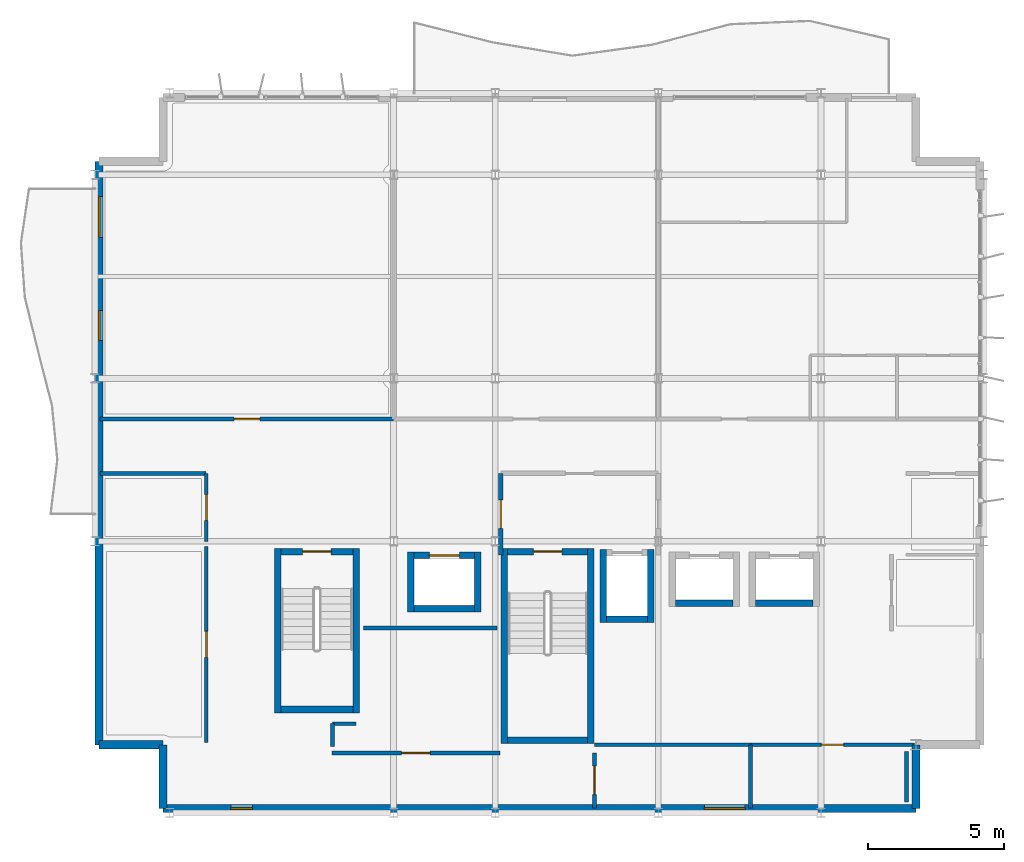
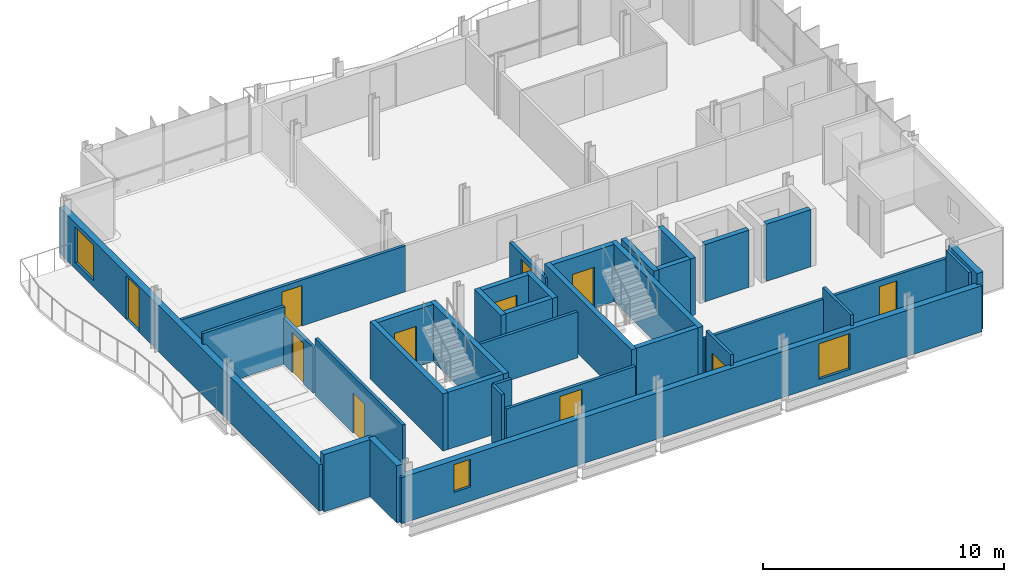
# One storey, part 8 of 12: 36 walls, 11 doors, 3 windows, 14 openings.
"""IFC4 building model written with IfcOpenShell, lengths in metres."""

from ifc_helpers import new_model, si_unit, direction, frame, frame_2d, origin, place, context, subcontext, project, spatial, rectangle, extrude, material, layer, layer_set, type_object, element, fill, save


model = new_model("IFC4")

# Units and contexts
model_context = context("Model", 3, precision=1e-05, world=origin(), true_north=direction((0.0, 1.0)))
body_context = subcontext(model_context, "Body", "Model", "MODEL_VIEW")
ifc_project = project(units=[si_unit("LENGTHUNIT", "METRE"), si_unit("AREAUNIT", "SQUARE_METRE"), si_unit("VOLUMEUNIT", "CUBIC_METRE"), si_unit("PLANEANGLEUNIT", "RADIAN"), si_unit("MASSUNIT", "GRAM", prefix="KILO")], contexts=[model_context])

# Site, building, storey
site_placement = place(None, origin())
site = spatial("IfcSite", under=ifc_project, at=site_placement, CompositionType="ELEMENT")
building_placement = place(site_placement, origin())
building = spatial("IfcBuilding", under=site, at=building_placement, Name="Brevholm Reach", CompositionType="ELEMENT")
storey_placement = place(building_placement, frame((0.0, 0.0, 230.39990234375)))
storey = spatial("IfcBuildingStorey", under=building, at=storey_placement, Name="L70", CompositionType="ELEMENT", Elevation=230.39990234375)

# Walls
ifc_material_1 = material(Name="Concrete C45/55", Category="concrete")
ifc_layer_1 = layer(ifc_material_1, 0.239990234375)
ifc_layer_set_1 = layer_set([ifc_layer_1], Name="Concrete C45/55")
wall_type_1 = type_object("IfcWallType", Name="WAL-COR-240", PredefinedType="SHEAR", material=ifc_layer_set_1)
for number, where, z_axis, x_axis, name in (
    (1, (42.330078125, 2.5400390625, 0.0), (0.0, 0.0, 1.0), (0.0, 1.0, 0.0), "L70 Escape Stair ST-2 Core Wall W"),
    (2, (45.52001953125, 2.5400390625, 0.0), (0.0, 0.0, 1.0), (0.0, 1.0, 0.0), "L70 Escape Stair ST-2 Core Wall E"),
):
    element("IfcWall", number, at=place(storey_placement, frame(where, z_axis=z_axis, x_axis=x_axis)), inside=storey, type_object=wall_type_1, Name=name, PredefinedType="SHEAR", context=body_context, shape_type="SweptSolid", body=[
        extrude(rectangle(XDim=7.199951171875, YDim=0.239990234375, at=frame_2d((3.60009765625, 0.0))), origin(), (0.0, 0.0, 1.0), 2.89013671875),
    ])
wall_1_placement = place(storey_placement, frame((42.449951171875, 2.659912109375, 0.0), z_axis=(0.0, 0.0, 1.0), x_axis=(1.0, 0.0, 0.0)))
element("IfcWall", 3, at=wall_1_placement, inside=storey, type_object=wall_type_1, Name="L70 Escape Stair ST-2 Core Wall S", PredefinedType="SHEAR", context=body_context, shape_type="SweptSolid", body=[
    extrude(rectangle(XDim=2.949951171875, YDim=0.239990234375, at=frame_2d((1.47509765625, 0.0))), origin(), (0.0, 0.0, 1.0), 2.89013671875),
])

# Wall, opening, door
wall_2_placement = place(storey_placement, frame((45.39990234375, 9.6201171875, 0.0), z_axis=(0.0, 0.0, 1.0), x_axis=(-1.0, 0.0, 0.0)))
wall_2 = element("IfcWall", 4, at=wall_2_placement, inside=storey, type_object=wall_type_1, Name="L70 Escape Stair ST-2 Core Wall N", PredefinedType="SHEAR", context=body_context, shape_type="SweptSolid", body=[
    extrude(rectangle(XDim=2.949951171875, YDim=0.239990234375, at=frame_2d((1.47509765625, 0.0))), origin(), (0.0, 0.0, 1.0), 2.89013671875),
])
opening_1_placement = place(wall_2_placement, frame((0.949951171875, 0.0, 0.0)))
opening_1 = element("IfcOpeningElement", 5, at=opening_1_placement, cuts=wall_2, Name="Opening SD-ST-2", PredefinedType="OPENING", context=body_context, shape_type="SweptSolid", body=[
    extrude(rectangle(XDim=1.050048828125, YDim=2.06005859375, at=frame_2d((0.52490234375, 1.030029296875))), frame((0.0, 0.1298828125, 0.0), z_axis=(0.0, -1.0, 0.0), x_axis=(1.0, 0.0, 0.0)), (0.0, 0.0, 1.0), 0.260009765625),
])
ifc_material_2 = material(Name="Hardwood-Lipped Steel-Core Fire and Smoke Door", Category="steel")
door_type_1 = type_object("IfcDoorType", Name="DOR-INT-FD60S", OperationType="NOTDEFINED", PredefinedType="DOOR", material=ifc_material_2)
door_1_placement = place(opening_1_placement, origin())
door_1 = element("IfcDoor", 6, at=door_1_placement, inside=storey, type_object=door_type_1, Name="L70 Protected Stair ST-2 Lobby Door", OperationType="SINGLE_SWING_LEFT", OverallHeight=2.06005859375, OverallWidth=1.050048828125, PredefinedType="DOOR", context=body_context, shape_type="SweptSolid", body=[
    extrude(rectangle(XDim=1.050048828125, YDim=2.06005859375, at=frame_2d((0.52490234375, 1.030029296875))), frame((0.0, 0.02490234375, 0.0), z_axis=(0.0, -1.0, 0.0), x_axis=(1.0, 0.0, 0.0)), (0.0, 0.0, 1.0), 0.050048828125),
])
fill(opening_1, door_1)

# Walls
for number, where, z_axis, x_axis, name in (
    (7, (33.97998046875, 3.679931640625, 0.0), (0.0, 0.0, 1.0), (0.0, 1.0, 0.0), "L70 Escape Stair ST-3 Core Wall W"),
    (8, (36.8701171875, 3.679931640625, 0.0), (0.0, 0.0, 1.0), (0.0, 1.0, 0.0), "L70 Escape Stair ST-3 Core Wall E"),
):
    element("IfcWall", number, at=place(storey_placement, frame(where, z_axis=z_axis, x_axis=x_axis)), inside=storey, type_object=wall_type_1, Name=name, PredefinedType="SHEAR", context=body_context, shape_type="SweptSolid", body=[
        extrude(rectangle(XDim=6.06005859375, YDim=0.239990234375, at=frame_2d((3.030029296875, 0.0))), origin(), (0.0, 0.0, 1.0), 2.89013671875),
    ])
wall_3_placement = place(storey_placement, frame((34.10009765625, 3.800048828125, 0.0), z_axis=(0.0, 0.0, 1.0), x_axis=(1.0, 0.0, 0.0)))
element("IfcWall", 9, at=wall_3_placement, inside=storey, type_object=wall_type_1, Name="L70 Escape Stair ST-3 Core Wall S", PredefinedType="SHEAR", context=body_context, shape_type="SweptSolid", body=[
    extrude(rectangle(XDim=2.64990234375, YDim=0.239990234375, at=frame_2d((1.324951171875, 0.0))), origin(), (0.0, 0.0, 1.0), 2.89013671875),
])

# Wall, opening, door
wall_4_placement = place(storey_placement, frame((36.75, 9.6201171875, 0.0), z_axis=(0.0, 0.0, 1.0), x_axis=(-1.0, 0.0, 0.0)))
wall_4 = element("IfcWall", 10, at=wall_4_placement, inside=storey, type_object=wall_type_1, Name="L70 Escape Stair ST-3 Core Wall N", PredefinedType="SHEAR", context=body_context, shape_type="SweptSolid", body=[
    extrude(rectangle(XDim=2.64990234375, YDim=0.239990234375, at=frame_2d((1.324951171875, 0.0))), origin(), (0.0, 0.0, 1.0), 2.89013671875),
])
opening_2_placement = place(wall_4_placement, frame((0.800048828125, 0.0, 0.0)))
opening_2 = element("IfcOpeningElement", 11, at=opening_2_placement, cuts=wall_4, Name="Opening SD-ST-3", PredefinedType="OPENING", context=body_context, shape_type="SweptSolid", body=[
    extrude(rectangle(XDim=1.050048828125, YDim=2.06005859375, at=frame_2d((0.52490234375, 1.030029296875))), frame((0.0, 0.1298828125, 0.0), z_axis=(0.0, -1.0, 0.0), x_axis=(1.0, 0.0, 0.0)), (0.0, 0.0, 1.0), 0.260009765625),
])
door_2_placement = place(opening_2_placement, origin())
door_2 = element("IfcDoor", 12, at=door_2_placement, inside=storey, type_object=door_type_1, Name="L70 Protected Stair ST-3 Lobby Door", OperationType="SINGLE_SWING_LEFT", OverallHeight=2.06005859375, OverallWidth=1.050048828125, PredefinedType="DOOR", context=body_context, shape_type="SweptSolid", body=[
    extrude(rectangle(XDim=1.050048828125, YDim=2.06005859375, at=frame_2d((0.52490234375, 1.030029296875))), frame((0.0, 0.02490234375, 0.0), z_axis=(0.0, -1.0, 0.0), x_axis=(1.0, 0.0, 0.0)), (0.0, 0.0, 1.0), 0.050048828125),
])
fill(opening_2, door_2)

# Walls
for number, where, z_axis, x_axis, name in (
    (13, (45.969970703125, 7.0, 0.0), (0.0, 0.0, 1.0), (0.0, 1.0, 0.0), "L70 Lift FFL-2 Shaft Wall W"),
    (14, (47.72998046875, 7.0, 0.0), (0.0, 0.0, 1.0), (0.0, 1.0, 0.0), "L70 Lift FFL-2 Shaft Wall E"),
):
    element("IfcWall", number, at=place(storey_placement, frame(where, z_axis=z_axis, x_axis=x_axis)), inside=storey, type_object=wall_type_1, Name=name, PredefinedType="SHEAR", context=body_context, shape_type="SweptSolid", body=[
        extrude(rectangle(XDim=2.699951171875, YDim=0.239990234375, at=frame_2d((1.35009765625, 0.0))), origin(), (0.0, 0.0, 1.0), 2.89013671875),
    ])
wall_5_placement = place(storey_placement, frame((46.090087890625, 7.1201171875, 0.0), z_axis=(0.0, 0.0, 1.0), x_axis=(1.0, 0.0, 0.0)))
element("IfcWall", 15, at=wall_5_placement, inside=storey, type_object=wall_type_1, Name="L70 Lift FFL-2 Shaft Wall S", PredefinedType="SHEAR", context=body_context, shape_type="SweptSolid", body=[
    extrude(rectangle(XDim=1.52001953125, YDim=0.239990234375, at=frame_2d((0.760009765625, 0.0))), origin(), (0.0, 0.0, 1.0), 2.89013671875),
])
for number, where, z_axis, x_axis, name in (
    (16, (38.889892578125, 7.39990234375, 0.0), (0.0, 0.0, 1.0), (0.0, 1.0, 0.0), "L70 Lift PL-S1 Shaft Wall W"),
    (17, (41.35009765625, 7.39990234375, 0.0), (0.0, 0.0, 1.0), (0.0, 1.0, 0.0), "L70 Lift PL-S1 Shaft Wall E"),
):
    element("IfcWall", number, at=place(storey_placement, frame(where, z_axis=z_axis, x_axis=x_axis)), inside=storey, type_object=wall_type_1, Name=name, PredefinedType="SHEAR", context=body_context, shape_type="SweptSolid", body=[
        extrude(rectangle(XDim=2.2001953125, YDim=0.239990234375, at=frame_2d((1.10009765625, 0.0))), origin(), (0.0, 0.0, 1.0), 2.89013671875),
    ])
wall_6_placement = place(storey_placement, frame((39.010009765625, 7.52001953125, 0.0), z_axis=(0.0, 0.0, 1.0), x_axis=(1.0, 0.0, 0.0)))
element("IfcWall", 18, at=wall_6_placement, inside=storey, type_object=wall_type_1, Name="L70 Lift PL-S1 Shaft Wall S", PredefinedType="SHEAR", context=body_context, shape_type="SweptSolid", body=[
    extrude(rectangle(XDim=2.219970703125, YDim=0.239990234375, at=frame_2d((1.10986328125, 0.0))), origin(), (0.0, 0.0, 1.0), 2.89013671875),
])

# Wall, opening, door
wall_7_placement = place(storey_placement, frame((39.010009765625, 9.47998046875, 0.0), z_axis=(0.0, 0.0, 1.0), x_axis=(1.0, 0.0, 0.0)))
wall_7 = element("IfcWall", 19, at=wall_7_placement, inside=storey, type_object=wall_type_1, Name="L70 Lift PL-S1 Shaft Wall N", PredefinedType="SHEAR", context=body_context, shape_type="SweptSolid", body=[
    extrude(rectangle(XDim=2.219970703125, YDim=0.239990234375, at=frame_2d((1.10986328125, 0.0))), origin(), (0.0, 0.0, 1.0), 2.89013671875),
])
opening_3_placement = place(wall_7_placement, frame((0.56005859375, 0.0, 0.0)))
opening_3 = element("IfcOpeningElement", 20, at=opening_3_placement, cuts=wall_7, Name="Opening LD-PL-S1", PredefinedType="OPENING", context=body_context, shape_type="SweptSolid", body=[
    extrude(rectangle(XDim=1.10009765625, YDim=2.06005859375, at=frame_2d((0.550048828125, 1.030029296875))), frame((0.0, 0.1298828125, 0.0), z_axis=(0.0, -1.0, 0.0), x_axis=(1.0, 0.0, 0.0)), (0.0, 0.0, 1.0), 0.260009765625),
])
ifc_material_3 = material(Name="Brushed Stainless Steel Fire-Rated Sliding Lift Door", Category="steel")
door_type_2 = type_object("IfcDoorType", Name="DOR-LFT-1100", OperationType="NOTDEFINED", PredefinedType="DOOR", material=ifc_material_3)
door_3_placement = place(opening_3_placement, origin())
door_3 = element("IfcDoor", 21, at=door_3_placement, inside=storey, type_object=door_type_2, Name="L70 Lift PL-S1 Sliding Landing Door", OperationType="SLIDING_TO_RIGHT", OverallHeight=2.06005859375, OverallWidth=1.10009765625, PredefinedType="DOOR", context=body_context, shape_type="SweptSolid", body=[
    extrude(rectangle(XDim=1.10009765625, YDim=2.06005859375, at=frame_2d((0.550048828125, 1.030029296875))), frame((0.0, 0.02490234375, 0.0), z_axis=(0.0, -1.0, 0.0), x_axis=(1.0, 0.0, 0.0)), (0.0, 0.0, 1.0), 0.050048828125),
])
fill(opening_3, door_3)

# Walls
wall_8_placement = place(storey_placement, frame((48.639892578125, 7.719970703125, 0.0), z_axis=(0.0, 0.0, 1.0), x_axis=(1.0, 0.0, 0.0)))
element("IfcWall", 22, at=wall_8_placement, inside=storey, type_object=wall_type_1, Name="L70 Lift PL-H1 Shaft Wall S", PredefinedType="SHEAR", context=body_context, shape_type="SweptSolid", body=[
    extrude(rectangle(XDim=2.1201171875, YDim=0.239990234375, at=frame_2d((1.06005859375, 0.0))), origin(), (0.0, 0.0, 1.0), 2.89013671875),
])
wall_9_placement = place(storey_placement, frame((51.590087890625, 7.719970703125, 0.0), z_axis=(0.0, 0.0, 1.0), x_axis=(1.0, 0.0, 0.0)))
element("IfcWall", 23, at=wall_9_placement, inside=storey, type_object=wall_type_1, Name="L70 Lift PL-H2 Shaft Wall S", PredefinedType="SHEAR", context=body_context, shape_type="SweptSolid", body=[
    extrude(rectangle(XDim=2.119873046875, YDim=0.239990234375, at=frame_2d((1.06005859375, 0.0))), origin(), (0.0, 0.0, 1.0), 2.89013671875),
])
ifc_material_4 = material(Name="Concrete C40/50", Category="concrete")
ifc_layer_2 = layer(ifc_material_4, 0.300048828125)
ifc_layer_set_2 = layer_set([ifc_layer_2], Name="Concrete C40/50")
wall_type_2 = type_object("IfcWallType", Name="WAL-EXT-300", PredefinedType="STANDARD", material=ifc_layer_set_2)
for number, where, z_axis, x_axis, name in (
    (24, (29.75, 2.5, 0.0), (0.0, 0.0, 1.0), (0.0, -1.0, 0.0), "L70 Facade Wall WAL-L70-CSW1"),
    (25, (27.39990234375, 2.5, 0.0), (0.0, 0.0, 1.0), (1.0, 0.0, 0.0), "L70 Facade Wall WAL-L70-CSW2"),
    (26, (57.5, 0.14990234375, 0.0), (0.0, 0.0, 1.0), (0.0, 1.0, 0.0), "L70 Facade Wall WAL-L70-CSE1"),
):
    element("IfcWall", number, at=place(storey_placement, frame(where, z_axis=z_axis, x_axis=x_axis)), inside=storey, type_object=wall_type_2, Name=name, PredefinedType="STANDARD", context=body_context, shape_type="SweptSolid", body=[
        extrude(rectangle(XDim=2.35009765625, YDim=0.300048828125, at=frame_2d((1.175048828125, 0.0))), origin(), (0.0, 0.0, 1.0), 2.89013671875),
    ])

# Wall, openings, windows
wall_10_placement = place(storey_placement, frame((29.75, 0.14990234375, 0.0), z_axis=(0.0, 0.0, 1.0), x_axis=(1.0, 0.0, 0.0)))
wall_10 = element("IfcWall", 27, at=wall_10_placement, inside=storey, type_object=wall_type_2, Name="L70 Facade Wall WAL-L70-S", PredefinedType="STANDARD", context=body_context, shape_type="SweptSolid", body=[
    extrude(rectangle(XDim=27.75, YDim=0.300048828125, at=frame_2d((13.875, 0.0))), origin(), (0.0, 0.0, 1.0), 2.33203125),
])
opening_4_placement = place(wall_10_placement, frame((2.5, 0.0, 0.7119140625)))
opening_4 = element("IfcOpeningElement", 28, at=opening_4_placement, cuts=wall_10, Name="Opening WN-11", PredefinedType="OPENING", context=body_context, shape_type="SweptSolid", body=[
    extrude(rectangle(XDim=0.800048828125, YDim=1.39990234375, at=frame_2d((0.39990234375, 0.699951171875))), frame((0.0, 0.159912109375, 0.0), z_axis=(0.0, -1.0, 0.0), x_axis=(1.0, 0.0, 0.0)), (0.0, 0.0, 1.0), 0.320068359375),
])
opening_5_placement = place(wall_10_placement, frame((19.949951171875, 0.0, 0.31201171875)))
opening_5 = element("IfcOpeningElement", 29, at=opening_5_placement, cuts=wall_10, Name="Opening WN-05", PredefinedType="OPENING", context=body_context, shape_type="SweptSolid", body=[
    extrude(rectangle(XDim=1.5, YDim=1.800048828125, at=frame_2d((0.75, 0.89990234375))), frame((0.0, 0.159912109375, 0.0), z_axis=(0.0, -1.0, 0.0), x_axis=(1.0, 0.0, 0.0)), (0.0, 0.0, 1.0), 0.320068359375),
])
ifc_material_5 = material(Name="Dark Anodised Aluminium and Solar-Control IGU Glass", Category="aluminium")
window_type_1 = type_object("IfcWindowType", Name="WIN-COR-0800", PartitioningType="SINGLE_PANEL", PredefinedType="WINDOW", material=ifc_material_5)
window_1_placement = place(opening_4_placement, origin())
window_1 = element("IfcWindow", 30, at=window_1_placement, inside=storey, type_object=window_type_1, Name="L70 Window WIN-L70-S-1", OverallHeight=1.39990234375, OverallWidth=0.800048828125, PartitioningType="SINGLE_PANEL", PredefinedType="WINDOW", context=body_context, shape_type="SweptSolid", body=[
    extrude(rectangle(XDim=0.800048828125, YDim=1.39990234375, at=frame_2d((0.39990234375, 0.699951171875))), frame((0.0, 0.030029296875, 0.0), z_axis=(0.0, -1.0, 0.0), x_axis=(1.0, 0.0, 0.0)), (0.0, 0.0, 1.0), 0.06005859375),
])
fill(opening_4, window_1)
ifc_material_6 = material(Name="Dark Anodised Aluminium and Solar-Control IGU Glass", Category="aluminium")
window_type_2 = type_object("IfcWindowType", Name="WIN-RES-1500", PartitioningType="SINGLE_PANEL", PredefinedType="WINDOW", material=ifc_material_6)
window_2_placement = place(opening_5_placement, origin())
window_2 = element("IfcWindow", 31, at=window_2_placement, inside=storey, type_object=window_type_2, Name="L70 Window WIN-L70-S-2", OverallHeight=1.800048828125, OverallWidth=1.5, PartitioningType="SINGLE_PANEL", PredefinedType="WINDOW", context=body_context, shape_type="SweptSolid", body=[
    extrude(rectangle(XDim=1.5, YDim=1.800048828125, at=frame_2d((0.75, 0.89990234375))), frame((0.0, 0.030029296875, 0.0), z_axis=(0.0, -1.0, 0.0), x_axis=(1.0, 0.0, 0.0)), (0.0, 0.0, 1.0), 0.06005859375),
])
fill(opening_5, window_2)

# Wall, openings, door, window
wall_11_placement = place(storey_placement, frame((27.39990234375, 24.0, 0.0), z_axis=(0.0, 0.0, 1.0), x_axis=(0.0, -1.0, 0.0)))
wall_11 = element("IfcWall", 32, at=wall_11_placement, inside=storey, type_object=wall_type_2, Name="L70 Facade Wall WAL-L70-W", PredefinedType="STANDARD", context=body_context, shape_type="SweptSolid", body=[
    extrude(rectangle(XDim=21.5, YDim=0.300048828125, at=frame_2d((10.75, 0.0))), origin(), (0.0, 0.0, 1.0), 2.33203125),
])
opening_6_placement = place(wall_11_placement, frame((5.5, 0.0, 0.0)))
opening_6 = element("IfcOpeningElement", 33, at=opening_6_placement, cuts=wall_11, Name="Opening BD-01", PredefinedType="OPENING", context=body_context, shape_type="SweptSolid", body=[
    extrude(rectangle(XDim=1.10009765625, YDim=2.199951171875, at=frame_2d((0.550048828125, 1.10009765625))), frame((0.0, 0.159912109375, 0.0), z_axis=(0.0, -1.0, 0.0), x_axis=(1.0, 0.0, 0.0)), (0.0, 0.0, 1.0), 0.320068359375),
])
opening_7_placement = place(wall_11_placement, frame((1.300048828125, 0.0, 0.31201171875)))
opening_7 = element("IfcOpeningElement", 34, at=opening_7_placement, cuts=wall_11, Name="Opening WN-05", PredefinedType="OPENING", context=body_context, shape_type="SweptSolid", body=[
    extrude(rectangle(XDim=1.5, YDim=1.800048828125, at=frame_2d((0.75, 0.89990234375))), frame((0.0, 0.159912109375, 0.0), z_axis=(0.0, -1.0, 0.0), x_axis=(1.0, 0.0, 0.0)), (0.0, 0.0, 1.0), 0.320068359375),
])
ifc_material_7 = material(Name="Dark Anodised Aluminium and Triple-Glazed Glass", Category="aluminium")
door_type_3 = type_object("IfcDoorType", Name="DOR-BALC-1100", OperationType="NOTDEFINED", PredefinedType="DOOR", material=ifc_material_7)
door_4_placement = place(opening_6_placement, origin())
door_4 = element("IfcDoor", 35, at=door_4_placement, inside=storey, type_object=door_type_3, Name="L70 Exterior Door DOR-L70-SLOT", OperationType="SINGLE_SWING_LEFT", OverallHeight=2.199951171875, OverallWidth=1.10009765625, PredefinedType="DOOR", context=body_context, shape_type="SweptSolid", body=[
    extrude(rectangle(XDim=1.10009765625, YDim=2.199951171875, at=frame_2d((0.550048828125, 1.10009765625))), frame((0.0, 0.02490234375, 0.0), z_axis=(0.0, -1.0, 0.0), x_axis=(1.0, 0.0, 0.0)), (0.0, 0.0, 1.0), 0.050048828125),
])
fill(opening_6, door_4)
window_3_placement = place(opening_7_placement, origin())
window_3 = element("IfcWindow", 36, at=window_3_placement, inside=storey, type_object=window_type_2, Name="L70 Window WIN-L70-W-1", OverallHeight=1.800048828125, OverallWidth=1.5, PartitioningType="SINGLE_PANEL", PredefinedType="WINDOW", context=body_context, shape_type="SweptSolid", body=[
    extrude(rectangle(XDim=1.5, YDim=1.800048828125, at=frame_2d((0.75, 0.89990234375))), frame((0.0, 0.030029296875, 0.0), z_axis=(0.0, -1.0, 0.0), x_axis=(1.0, 0.0, 0.0)), (0.0, 0.0, 1.0), 0.06005859375),
])
fill(opening_7, window_3)

# Wall, opening, door
ifc_material_8 = material(Name="Twin-Stud Acoustic Fire-Rated Gypsum Partition 140 mm", Category="gypsum")
ifc_layer_3 = layer(ifc_material_8, 0.139892578125)
ifc_layer_set_3 = layer_set([ifc_layer_3], Name="Twin-Stud Acoustic Fire-Rated Gypsum Partition 140 mm")
wall_type_3 = type_object("IfcWallType", Name="WAL-PRT-140", PredefinedType="PARTITIONING", material=ifc_layer_set_3)
wall_12_placement = place(storey_placement, frame((31.35009765625, 2.588623046875, 0.0), z_axis=(0.0, 0.0, 1.0), x_axis=(0.0, 1.0, 0.0)))
wall_12 = element("IfcWall", 37, at=wall_12_placement, inside=storey, type_object=wall_type_3, Name="L70 Internal Partition 001", PredefinedType="PARTITIONING", context=body_context, shape_type="SweptSolid", body=[
    extrude(rectangle(XDim=7.22265625, YDim=0.139892578125, at=frame_2d((3.611328125, 0.0))), origin(), (0.0, 0.0, 1.0), 2.89013671875),
])
opening_8_placement = place(wall_12_placement, frame((3.13623046875, 0.0, 0.0)))
opening_8 = element("IfcOpeningElement", 38, at=opening_8_placement, cuts=wall_12, Name="Opening ID-30", PredefinedType="OPENING", context=body_context, shape_type="SweptSolid", body=[
    extrude(rectangle(XDim=0.949951171875, YDim=2.050048828125, at=frame_2d((0.47509765625, 1.02490234375))), frame((0.0, 0.079833984375, 0.0), z_axis=(0.0, -1.0, 0.0), x_axis=(1.0, 0.0, 0.0)), (0.0, 0.0, 1.0), 0.159912109375),
])
ifc_material_9 = material(Name="European Oak Veneered Solid-Core Fire Entrance Door", Category="timber")
door_type_4 = type_object("IfcDoorType", Name="DOR-FLT-FD30S", OperationType="NOTDEFINED", PredefinedType="DOOR", material=ifc_material_9)
door_5_placement = place(opening_8_placement, origin())
door_5 = element("IfcDoor", 39, at=door_5_placement, inside=storey, type_object=door_type_4, Name="L70 Internal Door 001", OperationType="SINGLE_SWING_LEFT", OverallHeight=2.050048828125, OverallWidth=0.949951171875, PredefinedType="DOOR", context=body_context, shape_type="SweptSolid", body=[
    extrude(rectangle(XDim=0.949951171875, YDim=2.050048828125, at=frame_2d((0.47509765625, 1.02490234375))), frame((0.0, 0.02490234375, 0.0), z_axis=(0.0, -1.0, 0.0), x_axis=(1.0, 0.0, 0.0)), (0.0, 0.0, 1.0), 0.050048828125),
])
fill(opening_8, door_5)

wall_13_placement = place(storey_placement, frame((31.35009765625, 9.98876953125, 0.0), z_axis=(0.0, 0.0, 1.0), x_axis=(0.0, 1.0, 0.0)))
wall_13 = element("IfcWall", 40, at=wall_13_placement, inside=storey, type_object=wall_type_3, Name="L70 Internal Partition 002", PredefinedType="PARTITIONING", context=body_context, shape_type="SweptSolid", body=[
    extrude(rectangle(XDim=2.51123046875, YDim=0.139892578125, at=frame_2d((1.255615234375, 0.0))), origin(), (0.0, 0.0, 1.0), 2.32568359375),
])
opening_9_placement = place(wall_13_placement, frame((0.78076171875, 0.0, 0.0)))
opening_9 = element("IfcOpeningElement", 41, at=opening_9_placement, cuts=wall_13, Name="Opening ID-30", PredefinedType="OPENING", context=body_context, shape_type="SweptSolid", body=[
    extrude(rectangle(XDim=0.949951171875, YDim=2.050048828125, at=frame_2d((0.47509765625, 1.02490234375))), frame((0.0, 0.079833984375, 0.0), z_axis=(0.0, -1.0, 0.0), x_axis=(1.0, 0.0, 0.0)), (0.0, 0.0, 1.0), 0.159912109375),
])
door_6_placement = place(opening_9_placement, origin())
door_6 = element("IfcDoor", 42, at=door_6_placement, inside=storey, type_object=door_type_4, Name="L70 Internal Door 002", OperationType="SINGLE_SWING_RIGHT", OverallHeight=2.050048828125, OverallWidth=0.949951171875, PredefinedType="DOOR", context=body_context, shape_type="SweptSolid", body=[
    extrude(rectangle(XDim=0.949951171875, YDim=2.050048828125, at=frame_2d((0.47509765625, 1.02490234375))), frame((0.0, 0.02490234375, 0.0), z_axis=(0.0, -1.0, 0.0), x_axis=(1.0, 0.0, 0.0)), (0.0, 0.0, 1.0), 0.050048828125),
])
fill(opening_9, door_6)

wall_14_placement = place(storey_placement, frame((35.98876953125, 2.199951171875, 0.0), z_axis=(0.0, 0.0, 1.0), x_axis=(1.0, 0.0, 0.0)))
wall_14 = element("IfcWall", 43, at=wall_14_placement, inside=storey, type_object=wall_type_3, Name="L70 Internal Partition 003", PredefinedType="PARTITIONING", context=body_context, shape_type="SweptSolid", body=[
    extrude(rectangle(XDim=6.172607421875, YDim=0.139892578125, at=frame_2d((3.08642578125, 0.0))), origin(), (0.0, 0.0, 1.0), 2.32568359375),
])
opening_10_placement = place(wall_14_placement, frame((2.561279296875, 0.0, 0.0)))
opening_10 = element("IfcOpeningElement", 44, at=opening_10_placement, cuts=wall_14, Name="Opening FD-01", PredefinedType="OPENING", context=body_context, shape_type="SweptSolid", body=[
    extrude(rectangle(XDim=1.050048828125, YDim=2.06005859375, at=frame_2d((0.52490234375, 1.030029296875))), frame((0.0, 0.079833984375, 0.0), z_axis=(0.0, -1.0, 0.0), x_axis=(1.0, 0.0, 0.0)), (0.0, 0.0, 1.0), 0.159912109375),
])
door_7_placement = place(opening_10_placement, origin())
door_7 = element("IfcDoor", 45, at=door_7_placement, inside=storey, type_object=door_type_1, Name="L70 Internal Door 003", OperationType="SINGLE_SWING_LEFT", OverallHeight=2.06005859375, OverallWidth=1.050048828125, PredefinedType="DOOR", context=body_context, shape_type="SweptSolid", body=[
    extrude(rectangle(XDim=1.050048828125, YDim=2.06005859375, at=frame_2d((0.52490234375, 1.030029296875))), frame((0.0, 0.02490234375, 0.0), z_axis=(0.0, -1.0, 0.0), x_axis=(1.0, 0.0, 0.0)), (0.0, 0.0, 1.0), 0.050048828125),
])
fill(opening_10, door_7)

wall_15_placement = place(storey_placement, frame((45.64990234375, 0.179931640625, 0.0), z_axis=(0.0, 0.0, 1.0), x_axis=(0.0, 1.0, 0.0)))
wall_15 = element("IfcWall", 46, at=wall_15_placement, inside=storey, type_object=wall_type_3, Name="L70 Internal Partition 004", PredefinedType="PARTITIONING", context=body_context, shape_type="SweptSolid", body=[
    extrude(rectangle(XDim=2.02001953125, YDim=0.139892578125, at=frame_2d((1.010009765625, 0.0))), origin(), (0.0, 0.0, 1.0), 2.89013671875),
])
opening_11_placement = place(wall_15_placement, frame((0.485107421875, 0.0, 0.0)))
opening_11 = element("IfcOpeningElement", 47, at=opening_11_placement, cuts=wall_15, Name="Opening FD-01", PredefinedType="OPENING", context=body_context, shape_type="SweptSolid", body=[
    extrude(rectangle(XDim=1.050048828125, YDim=2.06005859375, at=frame_2d((0.52490234375, 1.030029296875))), frame((0.0, 0.079833984375, 0.0), z_axis=(0.0, -1.0, 0.0), x_axis=(1.0, 0.0, 0.0)), (0.0, 0.0, 1.0), 0.159912109375),
])
door_8_placement = place(opening_11_placement, origin())
door_8 = element("IfcDoor", 48, at=door_8_placement, inside=storey, type_object=door_type_1, Name="L70 Internal Door 004", OperationType="SINGLE_SWING_RIGHT", OverallHeight=2.06005859375, OverallWidth=1.050048828125, PredefinedType="DOOR", context=body_context, shape_type="SweptSolid", body=[
    extrude(rectangle(XDim=1.050048828125, YDim=2.06005859375, at=frame_2d((0.52490234375, 1.030029296875))), frame((0.0, 0.02490234375, 0.0), z_axis=(0.0, -1.0, 0.0), x_axis=(1.0, 0.0, 0.0)), (0.0, 0.0, 1.0), 0.050048828125),
])
fill(opening_11, door_8)

# Wall
wall_16_placement = place(storey_placement, frame((45.64990234375, 2.5, 0.0), z_axis=(0.0, 0.0, 1.0), x_axis=(1.0, 0.0, 0.0)))
element("IfcWall", 49, at=wall_16_placement, inside=storey, type_object=wall_type_3, Name="L70 Internal Partition 006", PredefinedType="PARTITIONING", context=body_context, shape_type="SweptSolid", body=[
    extrude(rectangle(XDim=5.761474609375, YDim=0.139892578125, at=frame_2d((2.880859375, 0.0))), origin(), (0.0, 0.0, 1.0), 2.32568359375),
])

# Wall, opening, door
wall_17_placement = place(storey_placement, frame((51.392578125, 2.5, 0.0), z_axis=(0.0, 0.0, 1.0), x_axis=(1.0, 0.0, 0.0)))
wall_17 = element("IfcWall", 50, at=wall_17_placement, inside=storey, type_object=wall_type_3, Name="L70 Internal Partition 007", PredefinedType="PARTITIONING", context=body_context, shape_type="SweptSolid", body=[
    extrude(rectangle(XDim=6.057373046875, YDim=0.139892578125, at=frame_2d((3.02880859375, 0.0))), origin(), (0.0, 0.0, 1.0), 2.32568359375),
])
opening_12_placement = place(wall_17_placement, frame((2.61865234375, 0.0, 0.0)))
opening_12 = element("IfcOpeningElement", 51, at=opening_12_placement, cuts=wall_17, Name="Opening ID-02", PredefinedType="OPENING", context=body_context, shape_type="SweptSolid", body=[
    extrude(rectangle(XDim=0.820068359375, YDim=2.02001953125, at=frame_2d((0.41015625, 1.010009765625))), frame((0.0, 0.079833984375, 0.0), z_axis=(0.0, -1.0, 0.0), x_axis=(1.0, 0.0, 0.0)), (0.0, 0.0, 1.0), 0.159912109375),
])
ifc_material_10 = material(Name="Moisture-Resistant Painted Timber Fire-Rated Riser and Service Door", Category="wood")
door_type_5 = type_object("IfcDoorType", Name="DOR-SRV-820", OperationType="NOTDEFINED", PredefinedType="DOOR", material=ifc_material_10)
door_9_placement = place(opening_12_placement, origin())
door_9 = element("IfcDoor", 52, at=door_9_placement, inside=storey, type_object=door_type_5, Name="L70 Internal Door 006", OperationType="SINGLE_SWING_RIGHT", OverallHeight=2.02001953125, OverallWidth=0.820068359375, PredefinedType="DOOR", context=body_context, shape_type="SweptSolid", body=[
    extrude(rectangle(XDim=0.820068359375, YDim=2.02001953125, at=frame_2d((0.41015625, 1.010009765625))), frame((0.0, 0.02490234375, 0.0), z_axis=(0.0, -1.0, 0.0), x_axis=(1.0, 0.0, 0.0)), (0.0, 0.0, 1.0), 0.050048828125),
])
fill(opening_12, door_9)

# Walls
wall_18_placement = place(storey_placement, frame((51.39990234375, 0.179931640625, 0.0), z_axis=(0.0, 0.0, 1.0), x_axis=(0.0, 1.0, 0.0)))
element("IfcWall", 53, at=wall_18_placement, inside=storey, type_object=wall_type_3, Name="L70 Internal Partition 008", PredefinedType="PARTITIONING", context=body_context, shape_type="SweptSolid", body=[
    extrude(rectangle(XDim=2.316162109375, YDim=0.139892578125, at=frame_2d((1.158203125, 0.0))), origin(), (0.0, 0.0, 1.0), 2.89013671875),
])
wall_19_placement = place(storey_placement, frame((27.429931640625, 12.5, 0.0), z_axis=(0.0, 0.0, 1.0), x_axis=(1.0, 0.0, 0.0)))
element("IfcWall", 54, at=wall_19_placement, inside=storey, type_object=wall_type_3, Name="L70 Internal Partition 014", PredefinedType="PARTITIONING", context=body_context, shape_type="SweptSolid", body=[
    extrude(rectangle(XDim=3.916015625, YDim=0.139892578125, at=frame_2d((1.9580078125, 0.0))), origin(), (0.0, 0.0, 1.0), 2.89013671875),
])

# Wall, opening, door
wall_20_placement = place(storey_placement, frame((27.429931640625, 14.5, 0.0), z_axis=(0.0, 0.0, 1.0), x_axis=(1.0, 0.0, 0.0)))
wall_20 = element("IfcWall", 55, at=wall_20_placement, inside=storey, type_object=wall_type_3, Name="L70 Internal Partition 015", PredefinedType="PARTITIONING", context=body_context, shape_type="SweptSolid", body=[
    extrude(rectangle(XDim=10.831298828125, YDim=0.139892578125, at=frame_2d((5.41552734375, 0.0))), origin(), (0.0, 0.0, 1.0), 2.32568359375),
])
opening_13_placement = place(wall_20_placement, frame((4.940673828125, 0.0, 0.0)))
opening_13 = element("IfcOpeningElement", 56, at=opening_13_placement, cuts=wall_20, Name="Opening ID-30", PredefinedType="OPENING", context=body_context, shape_type="SweptSolid", body=[
    extrude(rectangle(XDim=0.949951171875, YDim=2.050048828125, at=frame_2d((0.47509765625, 1.02490234375))), frame((0.0, 0.079833984375, 0.0), z_axis=(0.0, -1.0, 0.0), x_axis=(1.0, 0.0, 0.0)), (0.0, 0.0, 1.0), 0.159912109375),
])
door_10_placement = place(opening_13_placement, origin())
door_10 = element("IfcDoor", 57, at=door_10_placement, inside=storey, type_object=door_type_4, Name="L70 Internal Door 011", OperationType="SINGLE_SWING_LEFT", OverallHeight=2.050048828125, OverallWidth=0.949951171875, PredefinedType="DOOR", context=body_context, shape_type="SweptSolid", body=[
    extrude(rectangle(XDim=0.949951171875, YDim=2.050048828125, at=frame_2d((0.47509765625, 1.02490234375))), frame((0.0, 0.02490234375, 0.0), z_axis=(0.0, -1.0, 0.0), x_axis=(1.0, 0.0, 0.0)), (0.0, 0.0, 1.0), 0.050048828125),
])
fill(opening_13, door_10)

# Walls
wall_21_placement = place(storey_placement, frame((37.139892578125, 6.800048828125, 0.0), z_axis=(0.0, 0.0, 1.0), x_axis=(1.0, 0.0, 0.0)))
element("IfcWall", 58, at=wall_21_placement, inside=storey, type_object=wall_type_3, Name="L70 Internal Partition 029", PredefinedType="PARTITIONING", context=body_context, shape_type="SweptSolid", body=[
    extrude(rectangle(XDim=4.920166015625, YDim=0.139892578125, at=frame_2d((2.4599609375, 0.0))), origin(), (0.0, 0.0, 1.0), 2.32568359375),
])
wall_22_placement = place(storey_placement, frame((36.0, 3.27587890625, 0.0), z_axis=(0.0, 0.0, 1.0), x_axis=(1.0, 0.0, 0.0)))
element("IfcWall", 59, at=wall_22_placement, inside=storey, type_object=wall_type_3, Name="L70 Internal Partition 030", PredefinedType="PARTITIONING", context=body_context, shape_type="SweptSolid", body=[
    extrude(rectangle(XDim=0.8701171875, YDim=0.139892578125, at=frame_2d((0.43505859375, 0.0))), origin(), (0.0, 0.0, 1.0), 2.89013671875),
])
wall_23_placement = place(storey_placement, frame((36.0, 2.43994140625, 0.0), z_axis=(0.0, 0.0, 1.0), x_axis=(0.0, 1.0, 0.0)))
element("IfcWall", 60, at=wall_23_placement, inside=storey, type_object=wall_type_3, Name="L70 Internal Partition 031", PredefinedType="PARTITIONING", context=body_context, shape_type="SweptSolid", body=[
    extrude(rectangle(XDim=0.8359375, YDim=0.139892578125, at=frame_2d((0.41796875, 0.0))), origin(), (0.0, 0.0, 1.0), 2.89013671875),
])
wall_24_placement = place(storey_placement, frame((57.14990234375, 0.389892578125, 0.0), z_axis=(0.0, 0.0, 1.0), x_axis=(0.0, 1.0, 0.0)))
element("IfcWall", 61, at=wall_24_placement, inside=storey, type_object=wall_type_3, Name="L70 Internal Partition 032", PredefinedType="PARTITIONING", context=body_context, shape_type="SweptSolid", body=[
    extrude(rectangle(XDim=1.8701171875, YDim=0.139892578125, at=frame_2d((0.93505859375, 0.0))), origin(), (0.0, 0.0, 1.0), 2.89013671875),
])

# Wall, opening, door
ifc_material_11 = material(Name="Twin-Frame Fire-Rated Gypsum Board and Mineral Wool 160 mm", Category="gypsum")
ifc_layer_4 = layer(ifc_material_11, 0.159912109375)
ifc_layer_set_4 = layer_set([ifc_layer_4], Name="Twin-Frame Fire-Rated Gypsum Board and Mineral Wool 160 mm")
wall_type_4 = type_object("IfcWallType", Name="WAL-PRT-160", PredefinedType="PARTITIONING", material=ifc_layer_set_4)
wall_25_placement = place(storey_placement, frame((42.199951171875, 9.5, 0.0), z_axis=(0.0, 0.0, 1.0), x_axis=(0.0, 1.0, 0.0)))
wall_25 = element("IfcWall", 62, at=wall_25_placement, inside=storey, type_object=wall_type_4, Name="L70 Internal Partition 009", PredefinedType="PARTITIONING", context=body_context, shape_type="SweptSolid", body=[
    extrude(rectangle(XDim=3.0, YDim=0.159912109375, at=frame_2d((1.5, 0.0))), origin(), (0.0, 0.0, 1.0), 2.32568359375),
])
opening_14_placement = place(wall_25_placement, frame((0.97509765625, 0.0, 0.0)))
opening_14 = element("IfcOpeningElement", 63, at=opening_14_placement, cuts=wall_25, Name="Opening FD-01", PredefinedType="OPENING", context=body_context, shape_type="SweptSolid", body=[
    extrude(rectangle(XDim=1.050048828125, YDim=2.06005859375, at=frame_2d((0.52490234375, 1.030029296875))), frame((0.0, 0.08984375, 0.0), z_axis=(0.0, -1.0, 0.0), x_axis=(1.0, 0.0, 0.0)), (0.0, 0.0, 1.0), 0.179931640625),
])
door_11_placement = place(opening_14_placement, origin())
door_11 = element("IfcDoor", 64, at=door_11_placement, inside=storey, type_object=door_type_1, Name="L70 Internal Door 007", OperationType="SINGLE_SWING_LEFT", OverallHeight=2.06005859375, OverallWidth=1.050048828125, PredefinedType="DOOR", context=body_context, shape_type="SweptSolid", body=[
    extrude(rectangle(XDim=1.050048828125, YDim=2.06005859375, at=frame_2d((0.52490234375, 1.030029296875))), frame((0.0, 0.02490234375, 0.0), z_axis=(0.0, -1.0, 0.0), x_axis=(1.0, 0.0, 0.0)), (0.0, 0.0, 1.0), 0.050048828125),
])
fill(opening_14, door_11)

save(model, "model.ifc")
